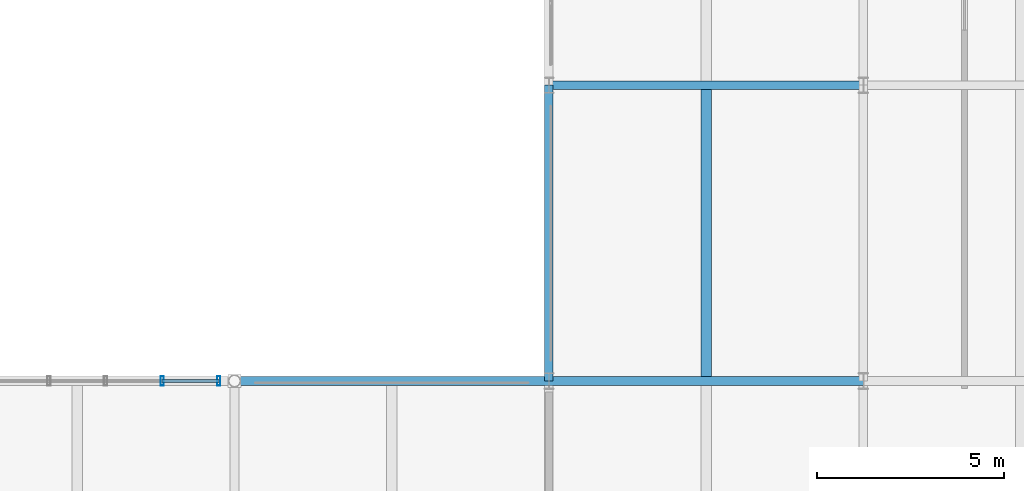
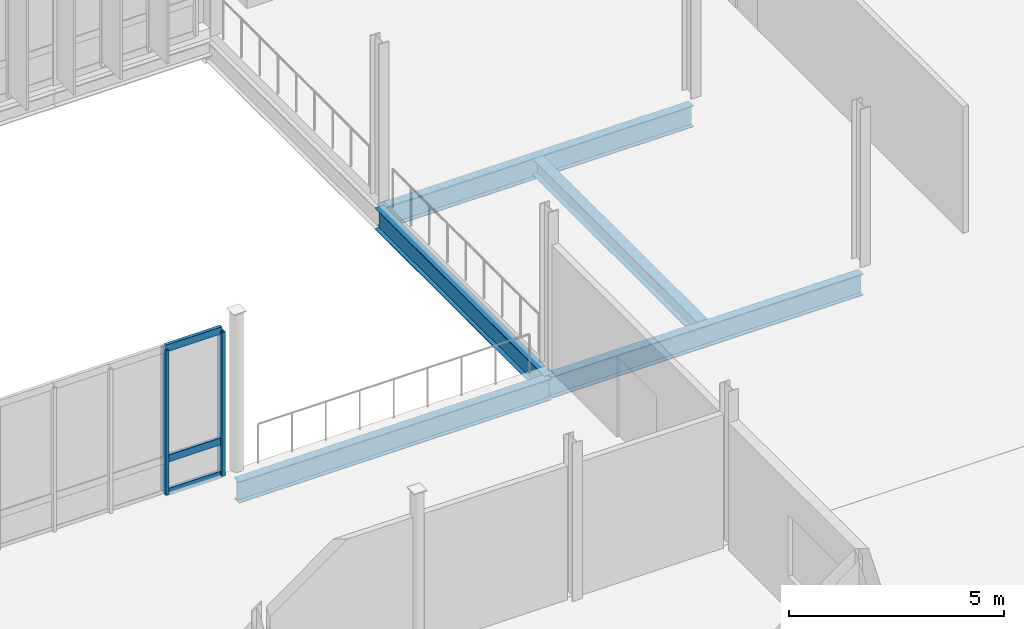
# One storey, part 74 of 139: 5 beams, 5 members, 1 element without a shape of its own.
"""IFC4 building model written with IfcOpenShell, lengths in metres."""

from ifc_helpers import new_model, si_unit, derived_unit, direction, frame, origin, origin_2d, place, context, subcontext, project, spatial, hollow_rectangle, i_section, extrude, material, layer, layer_set, material_profile, profile_set, type_object, element, aggregate, save


model = new_model("IFC4")

# Units and contexts
model_context = context("Model", 3, precision=1e-05, world=origin(), true_north=direction((0.0, 1.0)))
body_context = subcontext(model_context, "Body", "Model", "MODEL_VIEW")
ifc_project = project(units=[si_unit("LENGTHUNIT", "METRE"), si_unit("AREAUNIT", "SQUARE_METRE"), si_unit("VOLUMEUNIT", "CUBIC_METRE"), si_unit("PLANEANGLEUNIT", "RADIAN"), si_unit("MASSUNIT", "GRAM", prefix="KILO"), derived_unit("THERMALTRANSMITTANCEUNIT", [(si_unit("MASSUNIT", "GRAM", prefix="KILO"), 1), (si_unit("TIMEUNIT", "SECOND"), -3), (si_unit("THERMODYNAMICTEMPERATUREUNIT", "KELVIN"), -1)])], contexts=[model_context])

# Site, building, storey
site_placement = place(None, origin())
site = spatial("IfcSite", under=ifc_project, at=site_placement, CompositionType="ELEMENT")
building_placement = place(site_placement, origin())
building = spatial("IfcBuilding", under=site, at=building_placement, Name="Makaiwela Harbour Ferry Terminal", CompositionType="ELEMENT")
storey_placement = place(building_placement, frame((0.0, 0.0, 5.10009765625)))
storey = spatial("IfcBuildingStorey", under=building, at=storey_placement, Name="L01", CompositionType="ELEMENT", Elevation=5.10009765625)

# Curtain wall, members
ifc_material_1 = material(Name="Marine anodised aluminium 6063-T6", Category="aluminium")
ifc_layer = layer(ifc_material_1, 0.199951171875)
ifc_layer_set = layer_set([ifc_layer], Name="Marine anodised aluminium 6063-T6")
curtain_wall_type = type_object("IfcCurtainWallType", Name="ENV-CW-08", PredefinedType="USERDEFINED", material=ifc_layer_set)
curtain_wall_placement = place(storey_placement, origin())
curtain_wall = element("IfcCurtainWall", 1, at=curtain_wall_placement, inside=storey, type_object=curtain_wall_type, Name="Unitised Curtain Wall CWA-151", ObjectType="UNITIZED CURTAIN WALL", PredefinedType="USERDEFINED")
ifc_material_profile_1 = material_profile(ifc_material_1, hollow_rectangle(XDim=0.0849609375, YDim=0.25, WallThickness=0.0048828125, at=origin_2d()), Name="CWM-250X85")
ifc_profile_set_1 = profile_set([ifc_material_profile_1], Name="Marine anodised aluminium 6063-T6")
member_type_1 = type_object("IfcMemberType", Name="CW-MUL-250", PredefinedType="MULLION", material=ifc_profile_set_1)
member_1_placement = place(storey_placement, frame((129.780029296875, 33.60009765625, 0.0), z_axis=(0.0, 0.0, 1.0), x_axis=(1.0, 0.0, 0.0)))
member_1 = element("IfcMember", 2, at=member_1_placement, type_object=member_type_1, Name="Curtain Wall Mullion CWA-151-1", PredefinedType="MULLION", context=body_context, shape_type="SweptSolid", body=[
    extrude(hollow_rectangle(XDim=0.0849609375, YDim=0.25, WallThickness=0.0048828125, at=origin_2d()), origin(), (0.0, 0.0, 1.0), 4.099853515625),
])
member_2_placement = place(storey_placement, frame((128.26806640625, 33.60009765625, 0.0), z_axis=(0.0, 0.0, 1.0), x_axis=(1.0, 0.0, 0.0)))
member_2 = element("IfcMember", 3, at=member_2_placement, type_object=member_type_1, Name="Curtain Wall Mullion CWA-151-2", PredefinedType="MULLION", context=body_context, shape_type="SweptSolid", body=[
    extrude(hollow_rectangle(XDim=0.0849609375, YDim=0.25, WallThickness=0.0048828125, at=origin_2d()), origin(), (0.0, 0.0, 1.0), 4.099853515625),
])
ifc_material_profile_2 = material_profile(ifc_material_1, hollow_rectangle(XDim=0.0849609375, YDim=0.199951171875, WallThickness=0.0048828125, at=origin_2d()), Name="CWT-200X85")
ifc_profile_set_2 = profile_set([ifc_material_profile_2], Name="Marine anodised aluminium 6063-T6")
member_type_2 = type_object("IfcMemberType", Name="CW-TRN-200", PredefinedType="USERDEFINED", material=ifc_profile_set_2)
member_3_placement = place(storey_placement, frame((129.780029296875, 33.60009765625, 0.0), z_axis=(-1.0, 0.0, 0.0), x_axis=(0.0, -1.0, 0.0)))
member_3 = element("IfcMember", 4, at=member_3_placement, type_object=member_type_2, Name="Curtain Wall Transom CWA-151-1-1", ObjectType="TRANSOM", PredefinedType="USERDEFINED", context=body_context, shape_type="SweptSolid", body=[
    extrude(hollow_rectangle(XDim=0.0849609375, YDim=0.199951171875, WallThickness=0.0048828125, at=origin_2d()), origin(), (0.0, 0.0, 1.0), 1.511962890625),
])
member_4_placement = place(storey_placement, frame((129.780029296875, 33.60009765625, 0.949951171875), z_axis=(-1.0, 0.0, 0.0), x_axis=(0.0, -1.0, 0.0)))
member_4 = element("IfcMember", 5, at=member_4_placement, type_object=member_type_2, Name="Curtain Wall Transom CWA-151-1-2", ObjectType="TRANSOM", PredefinedType="USERDEFINED", context=body_context, shape_type="SweptSolid", body=[
    extrude(hollow_rectangle(XDim=0.0849609375, YDim=0.199951171875, WallThickness=0.0048828125, at=origin_2d()), origin(), (0.0, 0.0, 1.0), 1.511962890625),
])
member_5_placement = place(storey_placement, frame((129.780029296875, 33.60009765625, 4.099853515625), z_axis=(-1.0, 0.0, 0.0), x_axis=(0.0, -1.0, 0.0)))
member_5 = element("IfcMember", 6, at=member_5_placement, type_object=member_type_2, Name="Curtain Wall Transom CWA-151-1-3", ObjectType="TRANSOM", PredefinedType="USERDEFINED", context=body_context, shape_type="SweptSolid", body=[
    extrude(hollow_rectangle(XDim=0.0849609375, YDim=0.199951171875, WallThickness=0.0048828125, at=origin_2d()), origin(), (0.0, 0.0, 1.0), 1.511962890625),
])
aggregate(curtain_wall, [member_1, member_2, member_3, member_4, member_5])

# Beams
ifc_material_2 = material(Name="Steel ASTM A992 Grade 50", Category="steel")
ifc_material_profile_3 = material_profile(ifc_material_2, i_section(OverallWidth=0.280029296875, OverallDepth=0.462890625, WebThickness=0.0107421875, FlangeThickness=0.017333984375, at=origin_2d()), Name="W18X76")
ifc_profile_set_3 = profile_set([ifc_material_profile_3], Name="Steel ASTM A992 Grade 50")
beam_type_1 = type_object("IfcBeamType", Name="STR-BM-W18X76", PredefinedType="BEAM", material=ifc_profile_set_3)
beam_1_placement = place(storey_placement, frame((142.800048828125, 33.696533203125, -0.51171875), z_axis=(0.0, 1.0, 0.0), x_axis=(-1.0, 0.0, 0.0)))
element("IfcBeam", 7, at=beam_1_placement, inside=storey, type_object=beam_type_1, Name="Secondary floor beam 1154", PredefinedType="BEAM", context=body_context, shape_type="SweptSolid", body=[
    extrude(i_section(OverallWidth=0.280029296875, OverallDepth=0.462890625, WebThickness=0.0107421875, FlangeThickness=0.017333984375, at=origin_2d()), origin(), (0.0, 0.0, 1.0), 7.70703125),
])
ifc_material_profile_4 = material_profile(ifc_material_2, i_section(OverallWidth=0.22900390625, OverallDepth=0.612060546875, WebThickness=0.011962890625, FlangeThickness=0.01953125, at=origin_2d()), Name="W24X84")
ifc_profile_set_4 = profile_set([ifc_material_profile_4], Name="Steel ASTM A992 Grade 50")
beam_type_2 = type_object("IfcBeamType", Name="STR-GRD-W24X84", PredefinedType="USERDEFINED", material=ifc_profile_set_4)
beam_2_placement = place(storey_placement, frame((130.199951171875, 33.60009765625, -0.6259765625), z_axis=(1.0, 0.0, 0.0), x_axis=(0.0, 1.0, 0.0)))
element("IfcBeam", 8, at=beam_2_placement, inside=storey, type_object=beam_type_2, Name="Primary X girder 791", ObjectType="GIRDER", PredefinedType="USERDEFINED", context=body_context, shape_type="SweptSolid", body=[
    extrude(i_section(OverallWidth=0.22900390625, OverallDepth=0.612060546875, WebThickness=0.011962890625, FlangeThickness=0.01953125, at=origin_2d()), origin(), (0.0, 0.0, 1.0), 8.400146484375),
])
for number, where, z_axis, x_axis, name in (
    (9, (138.60009765625, 33.60009765625, -0.586181640625), (1.0, 0.0, 0.0), (0.0, 1.0, 0.0), "Primary X girder 792"),
    (10, (138.60009765625, 41.5, -0.586181640625), (1.0, 0.0, 0.0), (0.0, 1.0, 0.0), "Primary X girder 801"),
):
    element("IfcBeam", number, at=place(storey_placement, frame(where, z_axis=z_axis, x_axis=x_axis)), inside=storey, type_object=beam_type_2, Name=name, ObjectType="GIRDER", PredefinedType="USERDEFINED", context=body_context, shape_type="SweptSolid", body=[
        extrude(i_section(OverallWidth=0.22900390625, OverallDepth=0.612060546875, WebThickness=0.011962890625, FlangeThickness=0.01953125, at=origin_2d()), origin(), (0.0, 0.0, 1.0), 8.39990234375),
    ])
beam_3_placement = place(storey_placement, frame((138.60009765625, 33.60009765625, -0.586181640625), z_axis=(0.0, 1.0, 0.0), x_axis=(-1.0, 0.0, 0.0)))
element("IfcBeam", 11, at=beam_3_placement, inside=storey, type_object=beam_type_2, Name="Primary Y girder 1011", ObjectType="GIRDER", PredefinedType="USERDEFINED", context=body_context, shape_type="SweptSolid", body=[
    extrude(i_section(OverallWidth=0.22900390625, OverallDepth=0.612060546875, WebThickness=0.011962890625, FlangeThickness=0.01953125, at=origin_2d()), origin(), (0.0, 0.0, 1.0), 7.89990234375),
])

save(model, "model.ifc")
